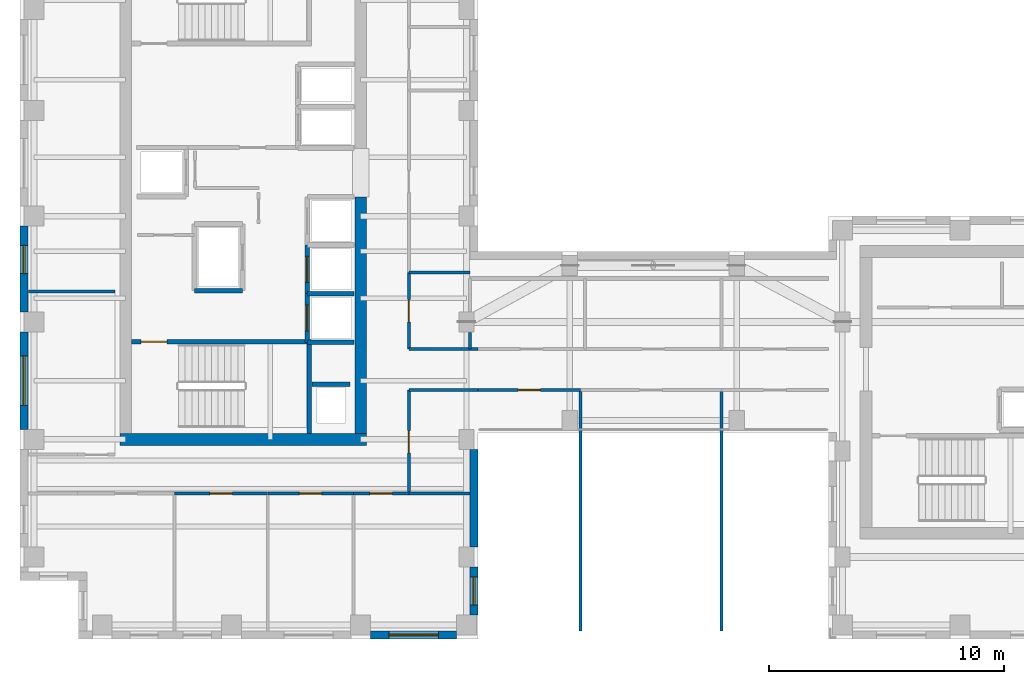
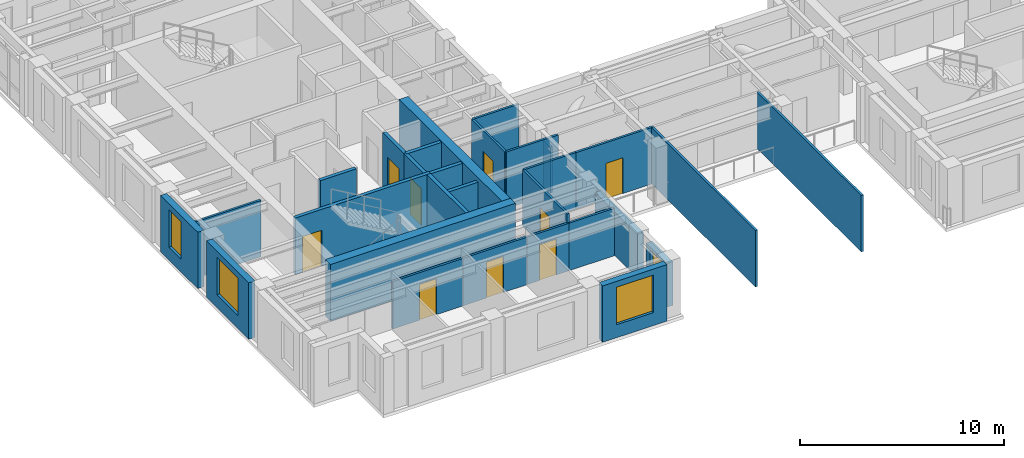
# One storey, part 6 of 14: 29 walls, 9 doors, 4 windows, 13 openings.
"""IFC4 building model written with IfcOpenShell, lengths in metres."""

from ifc_helpers import new_model, si_unit, direction, frame, frame_2d, origin, place, context, subcontext, project, spatial, rectangle, extrude, source, transform, mapped, material, layer, layer_set, type_object, element, fill, save


model = new_model("IFC4")

# Units and contexts
model_context = context("Model", 3, precision=1e-05, world=origin(), true_north=direction((0.0, 1.0)))
body_context = subcontext(model_context, "Body", "Model", "MODEL_VIEW")
ifc_project = project(units=[si_unit("LENGTHUNIT", "METRE"), si_unit("AREAUNIT", "SQUARE_METRE"), si_unit("VOLUMEUNIT", "CUBIC_METRE"), si_unit("PLANEANGLEUNIT", "RADIAN"), si_unit("MASSUNIT", "GRAM", prefix="KILO")], contexts=[model_context])

# Site, building, storey
site_placement = place(None, origin())
site = spatial("IfcSite", under=ifc_project, at=site_placement, CompositionType="ELEMENT")
building_placement = place(site_placement, origin())
building = spatial("IfcBuilding", under=site, at=building_placement, Name="Kharzan Plaza Tower", CompositionType="ELEMENT")
storey_placement = place(building_placement, frame((0.0, 0.0, 241.199951171875)))
storey = spatial("IfcBuildingStorey", under=building, at=storey_placement, Name="L65", CompositionType="ELEMENT", Elevation=241.199951171875)

# Wall, opening, window
ifc_material_1 = material(Name="Concrete C40/50", Category="concrete")
ifc_layer_1 = layer(ifc_material_1, 0.35009765625)
ifc_layer_set_1 = layer_set([ifc_layer_1], Name="Concrete C40/50")
wall_type_1 = type_object("IfcWallType", Name="WL-EXT-MAS-Z4", PredefinedType="SOLIDWALL", material=ifc_layer_set_1)
wall_1_placement = place(storey_placement, frame((0.175048828125, 17.576904296875, 0.0), z_axis=(0.0, 0.0, 1.0), x_axis=(0.0, -1.0, 0.0)))
wall_1 = element("IfcWall", 1, at=wall_1_placement, inside=storey, type_object=wall_type_1, Name="L65 Masonry-Frame Exterior Wall 21", PredefinedType="SOLIDWALL", context=body_context, shape_type="SweptSolid", body=[
    extrude(rectangle(XDim=3.65380859375, YDim=0.35009765625, at=frame_2d((1.826904296875, 0.0))), origin(), (0.0, 0.0, 1.0), 3.385009765625),
])
opening_1_placement = place(wall_1_placement, frame((0.823486328125, 0.0, 0.780029296875)))
opening_1 = element("IfcOpeningElement", 2, at=opening_1_placement, cuts=wall_1, Name="Opening W3", PredefinedType="OPENING", context=body_context, shape_type="SweptSolid", body=[
    extrude(rectangle(XDim=1.199951171875, YDim=2.25, at=frame_2d((0.60009765625, 1.125))), frame((0.0, 0.18505859375, 0.0), z_axis=(0.0, -1.0, 0.0), x_axis=(1.0, 0.0, 0.0)), (0.0, 0.0, 1.0), 0.3701171875),
])
ifc_material_2 = material(Name="Low-E Double Glazing", Category="glass")
window_type_1 = type_object("IfcWindowType", Name="WN-REC-1200x2100", PartitioningType="SINGLE_PANEL", PredefinedType="WINDOW", material=ifc_material_2)
shared_shape_1 = source(origin(), body_context, "Body", "SweptSolid", [
    extrude(rectangle(XDim=1.199951171875, YDim=2.25, at=frame_2d((0.60009765625, 1.125))), frame((0.0, 0.030029296875, 0.0), z_axis=(0.0, -1.0, 0.0), x_axis=(1.0, 0.0, 0.0)), (0.0, 0.0, 1.0), 0.06005859375),
])
window_1_placement = place(opening_1_placement, origin())
window_1 = element("IfcWindow", 3, at=window_1_placement, inside=storey, type_object=window_type_1, Name="L65 Recessed Solar-Control Window 21-1", OverallHeight=2.25, OverallWidth=1.199951171875, PartitioningType="SINGLE_PANEL", PredefinedType="WINDOW", context=body_context, shape_type="MappedRepresentation", body=[
    mapped(shared_shape_1, transform((0.0, 0.0, 0.0), x_axis=(1.0, 0.0, 0.0), y_axis=(0.0, 1.0, 0.0), z_axis=(0.0, 0.0, 1.0))),
])
fill(opening_1, window_1)

wall_2_placement = place(storey_placement, frame((0.175048828125, 13.076904296875, 0.0), z_axis=(0.0, 0.0, 1.0), x_axis=(0.0, -1.0, 0.0)))
wall_2 = element("IfcWall", 4, at=wall_2_placement, inside=storey, type_object=wall_type_1, Name="L65 Masonry-Frame Exterior Wall 22", PredefinedType="SOLIDWALL", context=body_context, shape_type="SweptSolid", body=[
    extrude(rectangle(XDim=4.15380859375, YDim=0.35009765625, at=frame_2d((2.076904296875, 0.0))), origin(), (0.0, 0.0, 1.0), 3.385009765625),
])
opening_2_placement = place(wall_2_placement, frame((1.027099609375, 0.0, 0.780029296875)))
opening_2 = element("IfcOpeningElement", 5, at=opening_2_placement, cuts=wall_2, Name="Opening W6", PredefinedType="OPENING", context=body_context, shape_type="SweptSolid", body=[
    extrude(rectangle(XDim=2.10009765625, YDim=2.25, at=frame_2d((1.050048828125, 1.125))), frame((0.0, 0.18505859375, 0.0), z_axis=(0.0, -1.0, 0.0), x_axis=(1.0, 0.0, 0.0)), (0.0, 0.0, 1.0), 0.3701171875),
])
window_type_2 = type_object("IfcWindowType", Name="WN-EXEC-2100x2250", PartitioningType="SINGLE_PANEL", PredefinedType="WINDOW", material=ifc_material_2)
shared_shape_2 = source(origin(), body_context, "Body", "SweptSolid", [
    extrude(rectangle(XDim=2.10009765625, YDim=2.25, at=frame_2d((1.050048828125, 1.125))), frame((0.0, 0.030029296875, 0.0), z_axis=(0.0, -1.0, 0.0), x_axis=(1.0, 0.0, 0.0)), (0.0, 0.0, 1.0), 0.06005859375),
])
window_2_placement = place(opening_2_placement, origin())
window_2 = element("IfcWindow", 6, at=window_2_placement, inside=storey, type_object=window_type_2, Name="L65 Recessed Solar-Control Window 22-1", OverallHeight=2.25, OverallWidth=2.10009765625, PartitioningType="SINGLE_PANEL", PredefinedType="WINDOW", context=body_context, shape_type="MappedRepresentation", body=[
    mapped(shared_shape_2, transform((0.0, 0.0, 0.0), x_axis=(1.0, 0.0, 0.0), y_axis=(0.0, 1.0, 0.0), z_axis=(0.0, 0.0, 1.0))),
])
fill(opening_2, window_2)

wall_3_placement = place(storey_placement, frame((14.923095703125, 0.175048828125, 0.0), z_axis=(0.0, 0.0, 1.0), x_axis=(1.0, 0.0, 0.0)))
wall_3 = element("IfcWall", 7, at=wall_3_placement, inside=storey, type_object=wall_type_1, Name="L65 Masonry-Frame Exterior Wall 30", PredefinedType="SOLIDWALL", context=body_context, shape_type="SweptSolid", body=[
    extrude(rectangle(XDim=3.65380859375, YDim=0.35009765625, at=frame_2d((1.826904296875, 0.0))), origin(), (0.0, 0.0, 1.0), 3.385009765625),
])
opening_3_placement = place(wall_3_placement, frame((0.777099609375, 0.0, 0.780029296875)))
opening_3 = element("IfcOpeningElement", 8, at=opening_3_placement, cuts=wall_3, Name="Opening W6", PredefinedType="OPENING", context=body_context, shape_type="SweptSolid", body=[
    extrude(rectangle(XDim=2.10009765625, YDim=2.25, at=frame_2d((1.050048828125, 1.125))), frame((0.0, 0.18505859375, 0.0), z_axis=(0.0, -1.0, 0.0), x_axis=(1.0, 0.0, 0.0)), (0.0, 0.0, 1.0), 0.3701171875),
])
window_3_placement = place(opening_3_placement, origin())
window_3 = element("IfcWindow", 9, at=window_3_placement, inside=storey, type_object=window_type_2, Name="L65 Recessed Solar-Control Window 30-1", OverallHeight=2.25, OverallWidth=2.10009765625, PartitioningType="SINGLE_PANEL", PredefinedType="WINDOW", context=body_context, shape_type="MappedRepresentation", body=[
    mapped(shared_shape_2, transform((0.0, 0.0, 0.0), x_axis=(1.0, 0.0, 0.0), y_axis=(0.0, 1.0, 0.0), z_axis=(0.0, 0.0, 1.0))),
])
fill(opening_3, window_3)

wall_4_placement = place(storey_placement, frame((19.324951171875, 1.02294921875, 0.0), z_axis=(0.0, 0.0, 1.0), x_axis=(0.0, 1.0, 0.0)))
wall_4 = element("IfcWall", 10, at=wall_4_placement, inside=storey, type_object=wall_type_1, Name="L65 Masonry-Frame Exterior Wall 31", PredefinedType="SOLIDWALL", context=body_context, shape_type="SweptSolid", body=[
    extrude(rectangle(XDim=2.053955078125, YDim=0.35009765625, at=frame_2d((1.02685546875, 0.0))), origin(), (0.0, 0.0, 1.0), 2.619140625),
])
opening_4_placement = place(wall_4_placement, frame((0.427001953125, 0.0, 0.780029296875)))
opening_4 = element("IfcOpeningElement", 11, at=opening_4_placement, cuts=wall_4, Name="Opening W3", PredefinedType="OPENING", context=body_context, shape_type="SweptSolid", body=[
    extrude(rectangle(XDim=1.199951171875, YDim=1.658935546875, at=frame_2d((0.60009765625, 0.82958984375))), frame((0.0, 0.18505859375, 0.0), z_axis=(0.0, -1.0, 0.0), x_axis=(1.0, 0.0, 0.0)), (0.0, 0.0, 1.0), 0.3701171875),
])
shared_shape_3 = source(origin(), body_context, "Body", "SweptSolid", [
    extrude(rectangle(XDim=1.199951171875, YDim=1.658935546875, at=frame_2d((0.60009765625, 0.82958984375))), frame((0.0, 0.030029296875, 0.0), z_axis=(0.0, -1.0, 0.0), x_axis=(1.0, 0.0, 0.0)), (0.0, 0.0, 1.0), 0.06005859375),
])
window_4_placement = place(opening_4_placement, origin())
window_4 = element("IfcWindow", 12, at=window_4_placement, inside=storey, type_object=window_type_1, Name="L65 Recessed Solar-Control Window 31-1", OverallHeight=1.658935546875, OverallWidth=1.199951171875, PartitioningType="SINGLE_PANEL", PredefinedType="WINDOW", context=body_context, shape_type="MappedRepresentation", body=[
    mapped(shared_shape_3, transform((0.0, 0.0, 0.0), x_axis=(1.0, 0.0, 0.0), y_axis=(0.0, 1.0, 0.0), z_axis=(0.0, 0.0, 1.0))),
])
fill(opening_4, window_4)

# Wall, opening, door
ifc_material_3 = material(Name="Fire-Rated Gypsum Board Partition", Category="gypsum")
ifc_layer_2 = layer(ifc_material_3, 0.125)
ifc_layer_set_2 = layer_set([ifc_layer_2], Name="Fire-Rated Gypsum Board Partition")
wall_type_2 = type_object("IfcWallType", Name="WL-INT-PART-125", PredefinedType="PARTITIONING", material=ifc_layer_set_2)
wall_5_placement = place(storey_placement, frame((16.550048828125, 12.35009765625, 0.0), z_axis=(0.0, 0.0, 1.0), x_axis=(0.0, 1.0, 0.0)))
wall_5 = element("IfcWall", 13, at=wall_5_placement, inside=storey, type_object=wall_type_2, Name="L65 Interior Partition SH-AEWN1", PredefinedType="PARTITIONING", context=body_context, shape_type="SweptSolid", body=[
    extrude(rectangle(XDim=3.25, YDim=0.125, at=frame_2d((1.625, 0.0))), origin(), (0.0, 0.0, 1.0), 3.385009765625),
])
opening_5_placement = place(wall_5_placement, frame((1.14990234375, 0.0, 0.0)))
opening_5 = element("IfcOpeningElement", 14, at=opening_5_placement, cuts=wall_5, Name="Opening OD1", PredefinedType="OPENING", context=body_context, shape_type="SweptSolid", body=[
    extrude(rectangle(XDim=0.949951171875, YDim=2.14990234375, at=frame_2d((0.47509765625, 1.074951171875))), frame((0.0, 0.072509765625, 0.0), z_axis=(0.0, -1.0, 0.0), x_axis=(1.0, 0.0, 0.0)), (0.0, 0.0, 1.0), 0.14501953125),
])
ifc_material_4 = material(Name="Acoustic Solid-Core Stained Oak", Category="timber")
door_type_1 = type_object("IfcDoorType", Name="DR-OFF-SINGLE", OperationType="NOTDEFINED", PredefinedType="DOOR", material=ifc_material_4)
shared_shape_4 = source(origin(), body_context, "Body", "SweptSolid", [
    extrude(rectangle(XDim=0.949951171875, YDim=2.14990234375, at=frame_2d((0.47509765625, 1.074951171875))), frame((0.0, 0.02490234375, 0.0), z_axis=(0.0, -1.0, 0.0), x_axis=(1.0, 0.0, 0.0)), (0.0, 0.0, 1.0), 0.050048828125),
])
door_1_placement = place(opening_5_placement, origin())
door_1 = element("IfcDoor", 15, at=door_1_placement, inside=storey, type_object=door_type_1, Name="L65 Slot Collaboration Door", OperationType="SINGLE_SWING_RIGHT", OverallHeight=2.14990234375, OverallWidth=0.949951171875, PredefinedType="DOOR", context=body_context, shape_type="MappedRepresentation", body=[
    mapped(shared_shape_4, transform((0.0, 0.0, 0.0), x_axis=(1.0, 0.0, 0.0), y_axis=(0.0, 1.0, 0.0), z_axis=(0.0, 0.0, 1.0))),
])
fill(opening_5, door_1)

wall_6_placement = place(storey_placement, frame((16.550048828125, 6.199951171875, 0.0), z_axis=(0.0, 0.0, 1.0), x_axis=(0.0, 1.0, 0.0)))
wall_6 = element("IfcWall", 16, at=wall_6_placement, inside=storey, type_object=wall_type_2, Name="L65 Interior Partition SH-AEWS", PredefinedType="PARTITIONING", context=body_context, shape_type="SweptSolid", body=[
    extrude(rectangle(XDim=4.400146484375, YDim=0.125, at=frame_2d((2.2001953125, 0.0))), origin(), (0.0, 0.0, 1.0), 3.385009765625),
])
opening_6_placement = place(wall_6_placement, frame((1.72509765625, 0.0, 0.0)))
opening_6 = element("IfcOpeningElement", 17, at=opening_6_placement, cuts=wall_6, Name="Opening OD1", PredefinedType="OPENING", context=body_context, shape_type="SweptSolid", body=[
    extrude(rectangle(XDim=0.949951171875, YDim=2.14990234375, at=frame_2d((0.47509765625, 1.074951171875))), frame((0.0, 0.072509765625, 0.0), z_axis=(0.0, -1.0, 0.0), x_axis=(1.0, 0.0, 0.0)), (0.0, 0.0, 1.0), 0.14501953125),
])
door_2_placement = place(opening_6_placement, origin())
door_2 = element("IfcDoor", 18, at=door_2_placement, inside=storey, type_object=door_type_1, Name="L65 Slot South Office Door", OperationType="SINGLE_SWING_LEFT", OverallHeight=2.14990234375, OverallWidth=0.949951171875, PredefinedType="DOOR", context=body_context, shape_type="MappedRepresentation", body=[
    mapped(shared_shape_4, transform((0.0, 0.0, 0.0), x_axis=(1.0, 0.0, 0.0), y_axis=(0.0, 1.0, 0.0), z_axis=(0.0, 0.0, 1.0))),
])
fill(opening_6, door_2)

wall_7_placement = place(storey_placement, frame((19.5, 10.60009765625, 0.0), z_axis=(0.0, 0.0, 1.0), x_axis=(1.0, 0.0, 0.0)))
wall_7 = element("IfcWall", 19, at=wall_7_placement, inside=storey, type_object=wall_type_2, Name="L65 Interior Partition SH-SPS1", PredefinedType="PARTITIONING", context=body_context, shape_type="SweptSolid", body=[
    extrude(rectangle(XDim=4.35009765625, YDim=0.125, at=frame_2d((2.175048828125, 0.0))), origin(), (0.0, 0.0, 1.0), 3.385009765625),
])
opening_7_placement = place(wall_7_placement, frame((1.699951171875, 0.0, 0.0)))
opening_7 = element("IfcOpeningElement", 20, at=opening_7_placement, cuts=wall_7, Name="Opening OD1", PredefinedType="OPENING", context=body_context, shape_type="SweptSolid", body=[
    extrude(rectangle(XDim=0.949951171875, YDim=2.14990234375, at=frame_2d((0.47509765625, 1.074951171875))), frame((0.0, 0.072509765625, 0.0), z_axis=(0.0, -1.0, 0.0), x_axis=(1.0, 0.0, 0.0)), (0.0, 0.0, 1.0), 0.14501953125),
])
door_3_placement = place(opening_7_placement, origin())
door_3 = element("IfcDoor", 21, at=door_3_placement, inside=storey, type_object=door_type_1, Name="L65 Spine Studio 1 Door", OperationType="SINGLE_SWING_RIGHT", OverallHeight=2.14990234375, OverallWidth=0.949951171875, PredefinedType="DOOR", context=body_context, shape_type="MappedRepresentation", body=[
    mapped(shared_shape_4, transform((0.0, 0.0, 0.0), x_axis=(1.0, 0.0, 0.0), y_axis=(0.0, 1.0, 0.0), z_axis=(0.0, 0.0, 1.0))),
])
fill(opening_7, door_3)

wall_8_placement = place(storey_placement, frame((6.572021484375, 6.199951171875, 0.0), z_axis=(0.0, 0.0, 1.0), x_axis=(1.0, 0.0, 0.0)))
wall_8 = element("IfcWall", 22, at=wall_8_placement, inside=storey, type_object=wall_type_2, Name="L65 Interior Partition SH-SS-2", PredefinedType="PARTITIONING", context=body_context, shape_type="SweptSolid", body=[
    extrude(rectangle(XDim=3.971923828125, YDim=0.125, at=frame_2d((1.98583984375, 0.0))), origin(), (0.0, 0.0, 1.0), 2.84814453125),
])
opening_8_placement = place(wall_8_placement, frame((1.510986328125, 0.0, 0.0)))
opening_8 = element("IfcOpeningElement", 23, at=opening_8_placement, cuts=wall_8, Name="Opening OD1", PredefinedType="OPENING", context=body_context, shape_type="SweptSolid", body=[
    extrude(rectangle(XDim=0.949951171875, YDim=2.14990234375, at=frame_2d((0.47509765625, 1.074951171875))), frame((0.0, 0.072509765625, 0.0), z_axis=(0.0, -1.0, 0.0), x_axis=(1.0, 0.0, 0.0)), (0.0, 0.0, 1.0), 0.14501953125),
])
door_4_placement = place(opening_8_placement, origin())
door_4 = element("IfcDoor", 24, at=door_4_placement, inside=storey, type_object=door_type_1, Name="L65 Standards Compliance Office Door", OperationType="SINGLE_SWING_LEFT", OverallHeight=2.14990234375, OverallWidth=0.949951171875, PredefinedType="DOOR", context=body_context, shape_type="MappedRepresentation", body=[
    mapped(shared_shape_4, transform((0.0, 0.0, 0.0), x_axis=(1.0, 0.0, 0.0), y_axis=(0.0, 1.0, 0.0), z_axis=(0.0, 0.0, 1.0))),
])
fill(opening_8, door_4)

wall_9_placement = place(storey_placement, frame((10.5439453125, 6.199951171875, 0.0), z_axis=(0.0, 0.0, 1.0), x_axis=(1.0, 0.0, 0.0)))
wall_9 = element("IfcWall", 25, at=wall_9_placement, inside=storey, type_object=wall_type_2, Name="L65 Interior Partition SH-SS-3", PredefinedType="PARTITIONING", context=body_context, shape_type="SweptSolid", body=[
    extrude(rectangle(XDim=3.64111328125, YDim=0.125, at=frame_2d((1.820556640625, 0.0))), origin(), (0.0, 0.0, 1.0), 2.84814453125),
])
opening_9_placement = place(wall_9_placement, frame((1.345458984375, 0.0, 0.0)))
opening_9 = element("IfcOpeningElement", 26, at=opening_9_placement, cuts=wall_9, Name="Opening OD1", PredefinedType="OPENING", context=body_context, shape_type="SweptSolid", body=[
    extrude(rectangle(XDim=0.949951171875, YDim=2.14990234375, at=frame_2d((0.47509765625, 1.074951171875))), frame((0.0, 0.072509765625, 0.0), z_axis=(0.0, -1.0, 0.0), x_axis=(1.0, 0.0, 0.0)), (0.0, 0.0, 1.0), 0.14501953125),
])
door_5_placement = place(opening_9_placement, origin())
door_5 = element("IfcDoor", 27, at=door_5_placement, inside=storey, type_object=door_type_1, Name="L65 Architectural Design Studio Door", OperationType="SINGLE_SWING_RIGHT", OverallHeight=2.14990234375, OverallWidth=0.949951171875, PredefinedType="DOOR", context=body_context, shape_type="MappedRepresentation", body=[
    mapped(shared_shape_4, transform((0.0, 0.0, 0.0), x_axis=(1.0, 0.0, 0.0), y_axis=(0.0, 1.0, 0.0), z_axis=(0.0, 0.0, 1.0))),
])
fill(opening_9, door_5)

wall_10_placement = place(storey_placement, frame((14.18505859375, 6.199951171875, 0.0), z_axis=(0.0, 0.0, 1.0), x_axis=(1.0, 0.0, 0.0)))
wall_10 = element("IfcWall", 28, at=wall_10_placement, inside=storey, type_object=wall_type_2, Name="L65 Interior Partition SH-SS-4", PredefinedType="PARTITIONING", context=body_context, shape_type="SweptSolid", body=[
    extrude(rectangle(XDim=2.364990234375, YDim=0.125, at=frame_2d((1.1826171875, 0.0))), origin(), (0.0, 0.0, 1.0), 2.84814453125),
])
opening_10_placement = place(wall_10_placement, frame((0.70751953125, 0.0, 0.0)))
opening_10 = element("IfcOpeningElement", 29, at=opening_10_placement, cuts=wall_10, Name="Opening OD1", PredefinedType="OPENING", context=body_context, shape_type="SweptSolid", body=[
    extrude(rectangle(XDim=0.949951171875, YDim=2.14990234375, at=frame_2d((0.47509765625, 1.074951171875))), frame((0.0, 0.072509765625, 0.0), z_axis=(0.0, -1.0, 0.0), x_axis=(1.0, 0.0, 0.0)), (0.0, 0.0, 1.0), 0.14501953125),
])
door_6_placement = place(opening_10_placement, origin())
door_6 = element("IfcDoor", 30, at=door_6_placement, inside=storey, type_object=door_type_1, Name="L65 Architectural Design Studio Door", OperationType="SINGLE_SWING_LEFT", OverallHeight=2.14990234375, OverallWidth=0.949951171875, PredefinedType="DOOR", context=body_context, shape_type="MappedRepresentation", body=[
    mapped(shared_shape_4, transform((0.0, 0.0, 0.0), x_axis=(1.0, 0.0, 0.0), y_axis=(0.0, 1.0, 0.0), z_axis=(0.0, 0.0, 1.0))),
])
fill(opening_10, door_6)

ifc_layer_3 = layer(ifc_material_1, 0.199951171875)
ifc_layer_set_3 = layer_set([ifc_layer_3], Name="Concrete C40/50")
wall_type_3 = type_object("IfcWallType", Name="WL-INT-SHAFT-200", PredefinedType="PARTITIONING", material=ifc_layer_set_3)
wall_11_placement = place(storey_placement, frame((12.22998046875, 12.6298828125, 0.0), z_axis=(0.0, 0.0, 1.0), x_axis=(0.0, 1.0, 0.0)))
wall_11 = element("IfcWall", 31, at=wall_11_placement, inside=storey, type_object=wall_type_3, Name="L65 Interior Partition SHF-PL-H1-W", PredefinedType="PARTITIONING", context=body_context, shape_type="SweptSolid", body=[
    extrude(rectangle(XDim=2.070068359375, YDim=0.199951171875, at=frame_2d((1.03515625, 0.0))), origin(), (0.0, 0.0, 1.0), 3.385009765625),
])
opening_11_placement = place(wall_11_placement, frame((0.485107421875, 0.0, 0.0)))
opening_11 = element("IfcOpeningElement", 32, at=opening_11_placement, cuts=wall_11, Name="Opening LD", PredefinedType="OPENING", context=body_context, shape_type="SweptSolid", body=[
    extrude(rectangle(XDim=1.10009765625, YDim=2.199951171875, at=frame_2d((0.550048828125, 1.10009765625))), frame((0.0, 0.10986328125, 0.0), z_axis=(0.0, -1.0, 0.0), x_axis=(1.0, 0.0, 0.0)), (0.0, 0.0, 1.0), 0.219970703125),
])
ifc_material_5 = material(Name="Brushed Stainless Steel", Category="steel")
door_type_2 = type_object("IfcDoorType", Name="DR-LIFT-SLIDE", OperationType="SLIDING_TO_LEFT", PredefinedType="DOOR", material=ifc_material_5)
shared_shape_5 = source(origin(), body_context, "Body", "SweptSolid", [
    extrude(rectangle(XDim=1.10009765625, YDim=2.199951171875, at=frame_2d((0.550048828125, 1.10009765625))), frame((0.0, 0.02490234375, 0.0), z_axis=(0.0, -1.0, 0.0), x_axis=(1.0, 0.0, 0.0)), (0.0, 0.0, 1.0), 0.050048828125),
])
door_7_placement = place(opening_11_placement, origin())
door_7 = element("IfcDoor", 33, at=door_7_placement, inside=storey, type_object=door_type_2, Name="L65 High-Rise Passenger Lift PL-H1 Sliding Landing Door", OperationType="SLIDING_TO_LEFT", OverallHeight=2.199951171875, OverallWidth=1.10009765625, PredefinedType="DOOR", context=body_context, shape_type="MappedRepresentation", body=[
    mapped(shared_shape_5, transform((0.0, 0.0, 0.0), x_axis=(1.0, 0.0, 0.0), y_axis=(0.0, 1.0, 0.0), z_axis=(0.0, 0.0, 1.0))),
])
fill(opening_11, door_7)

wall_12_placement = place(storey_placement, frame((12.22998046875, 14.699951171875, 0.0), z_axis=(0.0, 0.0, 1.0), x_axis=(0.0, 1.0, 0.0)))
wall_12 = element("IfcWall", 34, at=wall_12_placement, inside=storey, type_object=wall_type_3, Name="L65 Interior Partition SHF-PL-H2-W", PredefinedType="PARTITIONING", context=body_context, shape_type="SweptSolid", body=[
    extrude(rectangle(XDim=2.070068359375, YDim=0.199951171875, at=frame_2d((1.03515625, 0.0))), origin(), (0.0, 0.0, 1.0), 3.385009765625),
])
opening_12_placement = place(wall_12_placement, frame((0.485107421875, 0.0, 0.0)))
opening_12 = element("IfcOpeningElement", 35, at=opening_12_placement, cuts=wall_12, Name="Opening LD", PredefinedType="OPENING", context=body_context, shape_type="SweptSolid", body=[
    extrude(rectangle(XDim=1.10009765625, YDim=2.199951171875, at=frame_2d((0.550048828125, 1.10009765625))), frame((0.0, 0.10986328125, 0.0), z_axis=(0.0, -1.0, 0.0), x_axis=(1.0, 0.0, 0.0)), (0.0, 0.0, 1.0), 0.219970703125),
])
door_8_placement = place(opening_12_placement, origin())
door_8 = element("IfcDoor", 36, at=door_8_placement, inside=storey, type_object=door_type_2, Name="L65 High-Rise Passenger Lift PL-H2 Sliding Landing Door", OperationType="SLIDING_TO_LEFT", OverallHeight=2.199951171875, OverallWidth=1.10009765625, PredefinedType="DOOR", context=body_context, shape_type="MappedRepresentation", body=[
    mapped(shared_shape_5, transform((0.0, 0.0, 0.0), x_axis=(1.0, 0.0, 0.0), y_axis=(0.0, 1.0, 0.0), z_axis=(0.0, 0.0, 1.0))),
])
fill(opening_12, door_8)

ifc_material_6 = material(Name="Concrete C50/60", Category="concrete")
ifc_layer_4 = layer(ifc_material_6, 0.199951171875)
ifc_layer_set_4 = layer_set([ifc_layer_4], Name="Concrete C50/60")
wall_type_4 = type_object("IfcWallType", Name="WL-SHAFT-RC200", PredefinedType="SHEAR", material=ifc_layer_set_4)
wall_13_placement = place(storey_placement, frame((4.751953125, 12.655029296875, 0.0), z_axis=(0.0, 0.0, 1.0), x_axis=(1.0, 0.0, 0.0)))
wall_13 = element("IfcWall", 37, at=wall_13_placement, inside=storey, type_object=wall_type_4, Name="L65 Stair ST-1 North RC Shaft Wall", PredefinedType="SHEAR", context=body_context, shape_type="SweptSolid", body=[
    extrude(rectangle(XDim=7.653076171875, YDim=0.199951171875, at=frame_2d((3.82666015625, 0.0))), origin(), (0.0, 0.0, 1.0), 3.400146484375),
])
opening_13_placement = place(wall_13_placement, frame((0.39990234375, 0.0, 0.0)))
opening_13 = element("IfcOpeningElement", 38, at=opening_13_placement, cuts=wall_13, Name="Opening SD1", PredefinedType="OPENING", context=body_context, shape_type="SweptSolid", body=[
    extrude(rectangle(XDim=1.10009765625, YDim=2.14990234375, at=frame_2d((0.550048828125, 1.074951171875))), frame((0.0, 0.10986328125, 0.0), z_axis=(0.0, -1.0, 0.0), x_axis=(1.0, 0.0, 0.0)), (0.0, 0.0, 1.0), 0.219970703125),
])
ifc_material_7 = material(Name="Fire-Rated Hollow Galvanized Steel", Category="steel")
door_type_3 = type_object("IfcDoorType", Name="DR-STAIR-FD120", OperationType="NOTDEFINED", PredefinedType="DOOR", material=ifc_material_7)
shared_shape_6 = source(origin(), body_context, "Body", "SweptSolid", [
    extrude(rectangle(XDim=1.10009765625, YDim=2.14990234375, at=frame_2d((0.550048828125, 1.074951171875))), frame((0.0, 0.02490234375, 0.0), z_axis=(0.0, -1.0, 0.0), x_axis=(1.0, 0.0, 0.0)), (0.0, 0.0, 1.0), 0.050048828125),
])
door_9_placement = place(opening_13_placement, origin())
door_9 = element("IfcDoor", 39, at=door_9_placement, inside=storey, type_object=door_type_3, Name="L65 Stair ST-1 Fire Exit Door", OperationType="SINGLE_SWING_LEFT", OverallHeight=2.14990234375, OverallWidth=1.10009765625, PredefinedType="DOOR", context=body_context, shape_type="MappedRepresentation", body=[
    mapped(shared_shape_6, transform((0.0, 0.0, 0.0), x_axis=(1.0, 0.0, 0.0), y_axis=(0.0, 1.0, 0.0), z_axis=(0.0, 0.0, 1.0))),
])
fill(opening_13, door_9)

# Walls
shared_shape_7 = source(origin(), body_context, "Body", "SweptSolid", [
    extrude(rectangle(XDim=1.630126953125, YDim=0.199951171875, at=frame_2d((0.81494140625, 0.0))), origin(), (0.0, 0.0, 1.0), 3.385009765625),
])
wall_14_placement = place(storey_placement, frame((12.419921875, 10.85009765625, 0.0), z_axis=(0.0, 0.0, 1.0), x_axis=(1.0, 0.0, 0.0)))
element("IfcWall", 40, at=wall_14_placement, inside=storey, type_object=wall_type_3, Name="L65 Interior Partition CA-RSRA-N", PredefinedType="PARTITIONING", context=body_context, shape_type="MappedRepresentation", body=[
    mapped(shared_shape_7, transform((0.0, 0.0, 0.0), x_axis=(1.0, 0.0, 0.0), y_axis=(0.0, 1.0, 0.0), z_axis=(0.0, 0.0, 1.0))),
])
shared_shape_8 = source(origin(), body_context, "Body", "SweptSolid", [
    extrude(rectangle(XDim=2.0400390625, YDim=0.199951171875, at=frame_2d((1.02001953125, 0.0))), origin(), (0.0, 0.0, 1.0), 3.385009765625),
])
wall_15_placement = place(storey_placement, frame((7.429931640625, 14.830078125, 0.0), z_axis=(0.0, 0.0, 1.0), x_axis=(1.0, 0.0, 0.0)))
element("IfcWall", 41, at=wall_15_placement, inside=storey, type_object=wall_type_3, Name="L65 Interior Partition SHF-SVL-1-S", PredefinedType="PARTITIONING", context=body_context, shape_type="MappedRepresentation", body=[
    mapped(shared_shape_8, transform((0.0, 0.0, 0.0), x_axis=(1.0, 0.0, 0.0), y_axis=(0.0, 1.0, 0.0), z_axis=(0.0, 0.0, 1.0))),
])
shared_shape_9 = source(origin(), body_context, "Body", "SweptSolid", [
    extrude(rectangle(XDim=2.949951171875, YDim=0.125, at=frame_2d((1.47509765625, 0.0))), origin(), (0.0, 0.0, 1.0), 3.385009765625),
])
for number, where, z_axis, x_axis, name in (
    (42, (16.550048828125, 12.35009765625, 0.0), (0.0, 0.0, 1.0), (1.0, 0.0, 0.0), "L65 Interior Partition SH-SPNW0"),
    (43, (16.550048828125, 10.60009765625, 0.0), (0.0, 0.0, 1.0), (1.0, 0.0, 0.0), "L65 Interior Partition SH-SPS0"),
):
    element("IfcWall", number, at=place(storey_placement, frame(where, z_axis=z_axis, x_axis=x_axis)), inside=storey, type_object=wall_type_2, Name=name, PredefinedType="PARTITIONING", context=body_context, shape_type="MappedRepresentation", body=[
        mapped(shared_shape_9, transform((0.0, 0.0, 0.0), x_axis=(1.0, 0.0, 0.0), y_axis=(0.0, 1.0, 0.0), z_axis=(0.0, 0.0, 1.0))),
    ])
shared_shape_10 = source(origin(), body_context, "Body", "SweptSolid", [
    extrude(rectangle(XDim=2.599853515625, YDim=0.125, at=frame_2d((1.2998046875, 0.0))), origin(), (0.0, 0.0, 1.0), 3.385009765625),
])
wall_16_placement = place(storey_placement, frame((16.550048828125, 15.60009765625, 0.0), z_axis=(0.0, 0.0, 1.0), x_axis=(1.0, 0.0, 0.0)))
element("IfcWall", 44, at=wall_16_placement, inside=storey, type_object=wall_type_2, Name="L65 Interior Partition SH-AEH-156", PredefinedType="PARTITIONING", context=body_context, shape_type="MappedRepresentation", body=[
    mapped(shared_shape_10, transform((0.0, 0.0, 0.0), x_axis=(1.0, 0.0, 0.0), y_axis=(0.0, 1.0, 0.0), z_axis=(0.0, 0.0, 1.0))),
])
shared_shape_11 = source(origin(), body_context, "Body", "SweptSolid", [
    extrude(rectangle(XDim=3.697998046875, YDim=0.125, at=frame_2d((1.84912109375, 0.0))), origin(), (0.0, 0.0, 1.0), 3.385009765625),
])
wall_17_placement = place(storey_placement, frame((0.35205078125, 14.800048828125, 0.0), z_axis=(0.0, 0.0, 1.0), x_axis=(1.0, 0.0, 0.0)))
element("IfcWall", 45, at=wall_17_placement, inside=storey, type_object=wall_type_2, Name="L65 Interior Partition SH-WMID", PredefinedType="PARTITIONING", context=body_context, shape_type="MappedRepresentation", body=[
    mapped(shared_shape_11, transform((0.0, 0.0, 0.0), x_axis=(1.0, 0.0, 0.0), y_axis=(0.0, 1.0, 0.0), z_axis=(0.0, 0.0, 1.0))),
])
shared_shape_12 = source(origin(), body_context, "Body", "SweptSolid", [
    extrude(rectangle(XDim=2.597900390625, YDim=0.125, at=frame_2d((1.298828125, 0.0))), origin(), (0.0, 0.0, 1.0), 2.84814453125),
])
wall_18_placement = place(storey_placement, frame((16.550048828125, 6.199951171875, 0.0), z_axis=(0.0, 0.0, 1.0), x_axis=(1.0, 0.0, 0.0)))
element("IfcWall", 46, at=wall_18_placement, inside=storey, type_object=wall_type_2, Name="L65 Interior Partition SH-SSE-4", PredefinedType="PARTITIONING", context=body_context, shape_type="MappedRepresentation", body=[
    mapped(shared_shape_12, transform((0.0, 0.0, 0.0), x_axis=(1.0, 0.0, 0.0), y_axis=(0.0, 1.0, 0.0), z_axis=(0.0, 0.0, 1.0))),
])
ifc_layer_5 = layer(ifc_material_6, 0.5)
ifc_layer_set_5 = layer_set([ifc_layer_5], Name="Concrete C50/60")
wall_type_5 = type_object("IfcWallType", Name="WL-CORE-500", PredefinedType="SHEAR", material=ifc_layer_set_5)
shared_shape_13 = source(origin(), body_context, "Body", "SweptSolid", [
    extrude(rectangle(XDim=10.070068359375, YDim=0.5, at=frame_2d((5.03515625, 0.0))), origin(), (0.0, 0.0, 1.0), 3.400146484375),
])
wall_19_placement = place(storey_placement, frame((14.5, 8.75, 0.0), z_axis=(0.0, 0.0, 1.0), x_axis=(0.0, 1.0, 0.0)))
element("IfcWall", 47, at=wall_19_placement, inside=storey, type_object=wall_type_5, Name="L65 CORE-A east shear pier 1", PredefinedType="SHEAR", context=body_context, shape_type="MappedRepresentation", body=[
    mapped(shared_shape_13, transform((0.0, 0.0, 0.0), x_axis=(1.0, 0.0, 0.0), y_axis=(0.0, 1.0, 0.0), z_axis=(0.0, 0.0, 1.0))),
])
shared_shape_14 = source(origin(), body_context, "Body", "SweptSolid", [
    extrude(rectangle(XDim=10.5, YDim=0.5, at=frame_2d((5.25, 0.0))), origin(), (0.0, 0.0, 1.0), 3.400146484375),
])
wall_20_placement = place(storey_placement, frame((4.25, 8.5, 0.0), z_axis=(0.0, 0.0, 1.0), x_axis=(1.0, 0.0, 0.0)))
element("IfcWall", 48, at=wall_20_placement, inside=storey, type_object=wall_type_5, Name="L65 CORE-A south RC shear wall", PredefinedType="SHEAR", context=body_context, shape_type="MappedRepresentation", body=[
    mapped(shared_shape_14, transform((0.0, 0.0, 0.0), x_axis=(1.0, 0.0, 0.0), y_axis=(0.0, 1.0, 0.0), z_axis=(0.0, 0.0, 1.0))),
])
shared_shape_15 = source(origin(), body_context, "Body", "SweptSolid", [
    extrude(rectangle(XDim=1.989990234375, YDim=0.199951171875, at=frame_2d((0.9951171875, 0.0))), origin(), (0.0, 0.0, 1.0), 3.385009765625),
])
for number, where, z_axis, x_axis, name in (
    (49, (12.22998046875, 14.699951171875, 0.0), (0.0, 0.0, 1.0), (1.0, 0.0, 0.0), "L65 Interior Partition SHF-PL-H1-N"),
    (50, (12.22998046875, 12.6298828125, 0.0), (0.0, 0.0, 1.0), (1.0, 0.0, 0.0), "L65 Interior Partition SHF-PL-H1-S"),
):
    element("IfcWall", number, at=place(storey_placement, frame(where, z_axis=z_axis, x_axis=x_axis)), inside=storey, type_object=wall_type_3, Name=name, PredefinedType="PARTITIONING", context=body_context, shape_type="MappedRepresentation", body=[
        mapped(shared_shape_15, transform((0.0, 0.0, 0.0), x_axis=(1.0, 0.0, 0.0), y_axis=(0.0, 1.0, 0.0), z_axis=(0.0, 0.0, 1.0))),
    ])
shared_shape_16 = source(origin(), body_context, "Body", "SweptSolid", [
    extrude(rectangle(XDim=3.802978515625, YDim=0.199951171875, at=frame_2d((1.9013671875, 0.0))), origin(), (0.0, 0.0, 1.0), 3.400146484375),
])
wall_21_placement = place(storey_placement, frame((12.304931640625, 8.751953125, 0.0), z_axis=(0.0, 0.0, 1.0), x_axis=(0.0, 1.0, 0.0)))
element("IfcWall", 51, at=wall_21_placement, inside=storey, type_object=wall_type_4, Name="L65 Stair ST-1 East RC Shaft Wall", PredefinedType="SHEAR", context=body_context, shape_type="MappedRepresentation", body=[
    mapped(shared_shape_16, transform((0.0, 0.0, 0.0), x_axis=(1.0, 0.0, 0.0), y_axis=(0.0, 1.0, 0.0), z_axis=(0.0, 0.0, 1.0))),
])
shared_shape_17 = source(origin(), body_context, "Body", "SweptSolid", [
    extrude(rectangle(XDim=0.699951171875, YDim=0.125, at=frame_2d((0.35009765625, 0.0))), origin(), (0.0, 0.0, 1.0), 2.77294921875),
])
wall_22_placement = place(storey_placement, frame((19.14990234375, 12.35009765625, 0.0), z_axis=(0.0, 0.0, 1.0), x_axis=(0.0, 1.0, 0.0)))
element("IfcWall", 52, at=wall_22_placement, inside=storey, type_object=wall_type_2, Name="L65 Interior Partition SH-AEN-DIV-S1", PredefinedType="PARTITIONING", context=body_context, shape_type="MappedRepresentation", body=[
    mapped(shared_shape_17, transform((0.0, 0.0, 0.0), x_axis=(1.0, 0.0, 0.0), y_axis=(0.0, 1.0, 0.0), z_axis=(0.0, 0.0, 1.0))),
])
shared_shape_18 = source(origin(), body_context, "Body", "SweptSolid", [
    extrude(rectangle(XDim=4.15380859375, YDim=0.35009765625, at=frame_2d((2.076904296875, 0.0))), origin(), (0.0, 0.0, 1.0), 2.619140625),
])
wall_23_placement = place(storey_placement, frame((19.324951171875, 3.923095703125, 0.0), z_axis=(0.0, 0.0, 1.0), x_axis=(0.0, 1.0, 0.0)))
element("IfcWall", 53, at=wall_23_placement, inside=storey, type_object=wall_type_1, Name="L65 Masonry-Frame Exterior Wall 32", PredefinedType="SOLIDWALL", context=body_context, shape_type="MappedRepresentation", body=[
    mapped(shared_shape_18, transform((0.0, 0.0, 0.0), x_axis=(1.0, 0.0, 0.0), y_axis=(0.0, 1.0, 0.0), z_axis=(0.0, 0.0, 1.0))),
])
shared_shape_19 = source(origin(), body_context, "Body", "SweptSolid", [
    extrude(rectangle(XDim=10.25, YDim=0.125, at=frame_2d((5.125, 0.0))), origin(), (0.0, 0.0, 1.0), 3.385009765625),
])
for number, where, z_axis, x_axis, name in (
    (54, (23.85009765625, 0.35009765625, 0.0), (0.0, 0.0, 1.0), (0.0, 1.0, 0.0), "L65 Interior Partition SH-SPSV1"),
    (55, (29.85009765625, 0.35009765625, 0.0), (0.0, 0.0, 1.0), (0.0, 1.0, 0.0), "L65 Interior Partition SH-SPSV2"),
):
    element("IfcWall", number, at=place(storey_placement, frame(where, z_axis=z_axis, x_axis=x_axis)), inside=storey, type_object=wall_type_2, Name=name, PredefinedType="PARTITIONING", context=body_context, shape_type="MappedRepresentation", body=[
        mapped(shared_shape_19, transform((0.0, 0.0, 0.0), x_axis=(1.0, 0.0, 0.0), y_axis=(0.0, 1.0, 0.0), z_axis=(0.0, 0.0, 1.0))),
    ])

save(model, "model.ifc")
